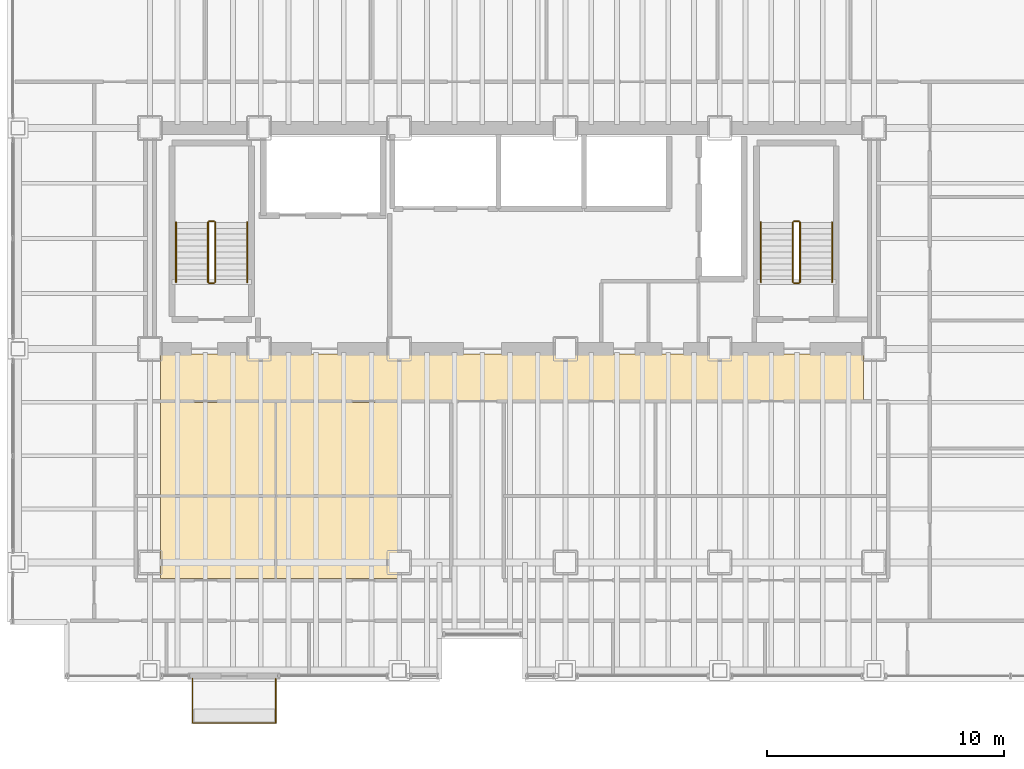
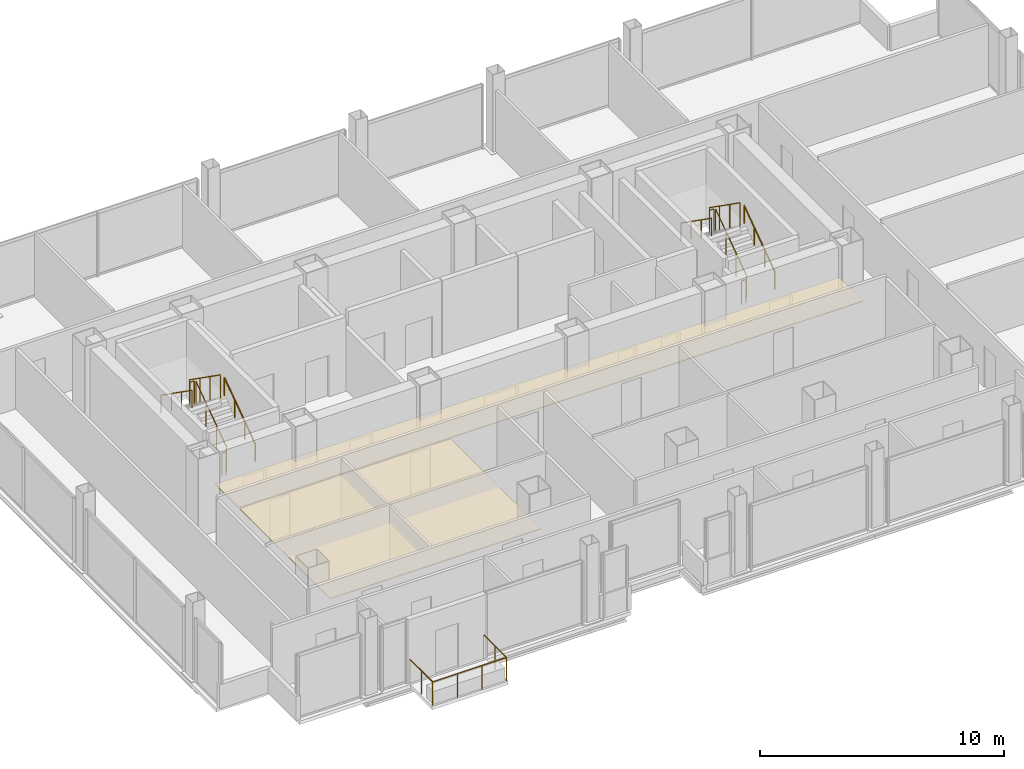
# One storey, part 20 of 20: 13 railings, 2 coverings.
"""IFC4 building model written with IfcOpenShell, lengths in metres."""

from ifc_helpers import new_model, si_unit, direction, frame, origin, origin_2d, place, context, subcontext, project, spatial, polyline, circle, outline, extrude, material, layer, layer_set, type_object, element, save


model = new_model("IFC4")

# Units and contexts
model_context = context("Model", 3, precision=1e-05, world=origin(), true_north=direction((0.0, 1.0)))
body_context = subcontext(model_context, "Body", "Model", "MODEL_VIEW")
ifc_project = project(units=[si_unit("LENGTHUNIT", "METRE"), si_unit("AREAUNIT", "SQUARE_METRE"), si_unit("VOLUMEUNIT", "CUBIC_METRE"), si_unit("PLANEANGLEUNIT", "RADIAN"), si_unit("MASSUNIT", "GRAM", prefix="KILO")], contexts=[model_context])

# Site, building, storey
site_placement = place(None, origin())
site = spatial("IfcSite", under=ifc_project, at=site_placement, CompositionType="ELEMENT")
building_placement = place(site_placement, origin())
building = spatial("IfcBuilding", under=site, at=building_placement, Name="Noeulbin Bourse Tower", CompositionType="ELEMENT")
storey_placement = place(building_placement, frame((0.0, 0.0, 65.5)))
storey = spatial("IfcBuildingStorey", under=building, at=storey_placement, Name="L16", CompositionType="ELEMENT", Elevation=65.5)

# Coverings
ifc_material_1 = material(Name="Perforated Mineral-Fibre Acoustic Tile")
ifc_layer_1 = layer(ifc_material_1, 0.0400390625)
ifc_layer_set_1 = layer_set([ifc_layer_1], Name="Perforated Mineral-Fibre Acoustic Tile")
covering_type = type_object("IfcCoveringType", Name="COV-CEIL-ACT", PredefinedType="CEILING", material=ifc_layer_set_1)
covering_1_placement = place(storey_placement, frame((0.0, 0.0, 2.110107421875)))
element("IfcCovering", 1, at=covering_1_placement, inside=storey, type_object=covering_type, Name="Corridor Suspended Ceiling L16", PredefinedType="CEILING", context=body_context, shape_type="SweptSolid", body=[
    extrude(outline(polyline([(13.949951171875, 26.820068359375), (43.550048828125, 26.820068359375), (43.550048828125, 28.780029296875), (13.949951171875, 28.780029296875), (13.949951171875, 26.820068359375)])), origin(), (0.0, 0.0, 1.0), 0.039794921875),
])
covering_2_placement = place(storey_placement, frame((0.0, 0.0, 2.110107421875)))
element("IfcCovering", 2, at=covering_2_placement, inside=storey, type_object=covering_type, Name="Trading Suite Acoustic Ceiling L16", PredefinedType="CEILING", context=body_context, shape_type="SweptSolid", body=[
    extrude(outline(polyline([(13.949951171875, 19.320068359375), (23.949951171875, 19.320068359375), (23.949951171875, 26.75), (13.949951171875, 26.75), (13.949951171875, 19.320068359375)])), origin(), (0.0, 0.0, 1.0), 0.039794921875),
])

# Railings
ifc_material_2 = material(Name="Laminated SentryGlas and Stainless Steel 316", Category="steel")
ifc_layer_2 = layer(ifc_material_2, 0.06005859375)
ifc_layer_set_2 = layer_set([ifc_layer_2], Name="Laminated SentryGlas and Stainless Steel 316")
railing_type_1 = type_object("IfcRailingType", Name="RLG-BAL-1200", PredefinedType="BALUSTRADE", material=ifc_layer_set_2)
railing_1_placement = place(storey_placement, frame((15.300048828125, 15.1201171875, 0.0)))
element("IfcRailing", 3, at=railing_1_placement, inside=storey, type_object=railing_type_1, Name="Tree-Balcony Glazed Balustrade L16", PredefinedType="BALUSTRADE", context=body_context, shape_type="SweptSolid", body=[
    extrude(circle(Radius=0.02392578125, at=origin_2d()), frame((0.0, 0.0, 1.17578125), z_axis=(0.0, -1.0, 0.0), x_axis=(1.0, 0.0, 0.0)), (0.0, 0.0, 1.0), 1.8701171875),
    extrude(circle(Radius=0.02392578125, at=origin_2d()), frame((0.0, -1.8701171875, 1.17578125), z_axis=(1.0, 0.0, 0.0), x_axis=(0.0, 1.0, 0.0)), (0.0, 0.0, 1.0), 3.5),
    extrude(circle(Radius=0.02392578125, at=origin_2d()), frame((3.5, -1.8701171875, 1.17578125), z_axis=(0.0, 1.0, 0.0), x_axis=(-1.0, 0.0, 0.0)), (0.0, 0.0, 1.0), 1.8701171875),
    extrude(circle(Radius=0.02099609375, at=origin_2d()), origin(), (0.0, 0.0, 1.0), 1.15185546875),
    extrude(circle(Radius=0.02099609375, at=origin_2d()), frame((0.0, -0.93505859375, 0.0)), (0.0, 0.0, 1.0), 1.15185546875),
    extrude(circle(Radius=0.02099609375, at=origin_2d()), frame((0.0, -1.8701171875, 0.0)), (0.0, 0.0, 1.0), 1.15185546875),
    extrude(circle(Radius=0.02099609375, at=origin_2d()), frame((1.166748046875, -1.8701171875, 0.0)), (0.0, 0.0, 1.0), 1.15185546875),
    extrude(circle(Radius=0.02099609375, at=origin_2d()), frame((2.333251953125, -1.8701171875, 0.0)), (0.0, 0.0, 1.0), 1.15185546875),
    extrude(circle(Radius=0.02099609375, at=origin_2d()), frame((3.5, -1.8701171875, 0.0)), (0.0, 0.0, 1.0), 1.15185546875),
    extrude(circle(Radius=0.02099609375, at=origin_2d()), frame((3.5, -0.93505859375, 0.0)), (0.0, 0.0, 1.0), 1.15185546875),
    extrude(circle(Radius=0.02099609375, at=origin_2d()), frame((3.5, 0.0, 0.0)), (0.0, 0.0, 1.0), 1.15185546875),
])
ifc_material_3 = material(Name="Painted Tubular Steel S355", Category="steel")
ifc_layer_3 = layer(ifc_material_3, 0.048095703125)
ifc_layer_set_3 = layer_set([ifc_layer_3], Name="Painted Tubular Steel S355")
railing_type_2 = type_object("IfcRailingType", Name="RLG-STR-GRD", PredefinedType="GUARDRAIL", material=ifc_layer_set_3)
railing_2_placement = place(storey_placement, frame((16.25, 31.81005859375, 0.17724609375)))
element("IfcRailing", 4, at=railing_2_placement, inside=storey, type_object=railing_type_2, Name="L16 ST-1 stair guard 1", PredefinedType="GUARDRAIL", context=body_context, shape_type="SweptSolid", body=[
    extrude(circle(Radius=0.02392578125, at=origin_2d()), frame((0.0, 0.0, 1.17578125), z_axis=(0.0, 0.817904474719, 0.575354039036), x_axis=(-1.0, 0.0, 0.0)), (0.0, 0.0, 1.0), 3.0810546875),
    extrude(circle(Radius=0.02099609375, at=origin_2d()), origin(), (0.0, 0.0, 1.0), 1.15185546875),
    extrude(circle(Radius=0.02099609375, at=origin_2d()), frame((0.0, 0.840087890625, 0.5908203125)), (0.0, 0.0, 1.0), 1.15185546875),
    extrude(circle(Radius=0.02099609375, at=origin_2d()), frame((0.0, 1.679931640625, 1.181884765625)), (0.0, 0.0, 1.0), 1.15185546875),
    extrude(circle(Radius=0.02099609375, at=origin_2d()), frame((0.0, 2.52001953125, 1.772705078125)), (0.0, 0.0, 1.0), 1.15185546875),
])
railing_3_placement = place(storey_placement, frame((16.199951171875, 34.3798828125, 1.949951171875)))
element("IfcRailing", 5, at=railing_3_placement, inside=storey, type_object=railing_type_2, Name="L16 ST-1 stair guard 2", PredefinedType="GUARDRAIL", context=body_context, shape_type="SweptSolid", body=[
    extrude(circle(Radius=0.02392578125, at=origin_2d()), frame((0.0, 0.0, 1.17578125), z_axis=(-1.0, 0.0, 0.0), x_axis=(0.0, -1.0, 0.0)), (0.0, 0.0, 1.0), 0.199951171875),
    extrude(circle(Radius=0.02099609375, at=origin_2d()), origin(), (0.0, 0.0, 1.0), 1.15185546875),
    extrude(circle(Radius=0.02099609375, at=origin_2d()), frame((-0.199951171875, 0.0, 0.0)), (0.0, 0.0, 1.0), 1.15185546875),
])
railing_4_placement = place(storey_placement, frame((15.949951171875, 34.330078125, 2.127197265625)))
element("IfcRailing", 6, at=railing_4_placement, inside=storey, type_object=railing_type_2, Name="L16 ST-1 stair guard 3", PredefinedType="GUARDRAIL", context=body_context, shape_type="SweptSolid", body=[
    extrude(circle(Radius=0.02392578125, at=origin_2d()), frame((0.0, 0.0, 1.17578125), z_axis=(0.0, -0.817904474719, 0.575354039036), x_axis=(1.0, 0.0, 0.0)), (0.0, 0.0, 1.0), 3.0810546875),
    extrude(circle(Radius=0.02099609375, at=origin_2d()), origin(), (0.0, 0.0, 1.0), 1.15185546875),
    extrude(circle(Radius=0.02099609375, at=origin_2d()), frame((0.0, -0.840087890625, 0.5908203125)), (0.0, 0.0, 1.0), 1.15185546875),
    extrude(circle(Radius=0.02099609375, at=origin_2d()), frame((0.0, -1.679931640625, 1.181884765625)), (0.0, 0.0, 1.0), 1.15185546875),
    extrude(circle(Radius=0.02099609375, at=origin_2d()), frame((0.0, -2.52001953125, 1.772705078125)), (0.0, 0.0, 1.0), 1.15185546875),
])
railing_5_placement = place(storey_placement, frame((16.199951171875, 31.760009765625, 0.0)))
element("IfcRailing", 7, at=railing_5_placement, inside=storey, type_object=railing_type_2, Name="L16 ST-1 stair guard 4", PredefinedType="GUARDRAIL", context=body_context, shape_type="SweptSolid", body=[
    extrude(circle(Radius=0.02392578125, at=origin_2d()), frame((0.0, 0.0, 1.17578125), z_axis=(-1.0, 0.0, 0.0), x_axis=(0.0, -1.0, 0.0)), (0.0, 0.0, 1.0), 0.199951171875),
    extrude(circle(Radius=0.02099609375, at=origin_2d()), origin(), (0.0, 0.0, 1.0), 1.15185546875),
    extrude(circle(Radius=0.02099609375, at=origin_2d()), frame((-0.199951171875, 0.0, 0.0)), (0.0, 0.0, 1.0), 1.15185546875),
])
railing_6_placement = place(storey_placement, frame((40.8798828125, 31.81005859375, 0.17724609375)))
element("IfcRailing", 8, at=railing_6_placement, inside=storey, type_object=railing_type_2, Name="L16 ST-2 stair guard 1", PredefinedType="GUARDRAIL", context=body_context, shape_type="SweptSolid", body=[
    extrude(circle(Radius=0.02392578125, at=origin_2d()), frame((0.0, 0.0, 1.17578125), z_axis=(0.0, 0.817904474719, 0.575354039036), x_axis=(-1.0, 0.0, 0.0)), (0.0, 0.0, 1.0), 3.0810546875),
    extrude(circle(Radius=0.02099609375, at=origin_2d()), origin(), (0.0, 0.0, 1.0), 1.15185546875),
    extrude(circle(Radius=0.02099609375, at=origin_2d()), frame((0.0, 0.840087890625, 0.5908203125)), (0.0, 0.0, 1.0), 1.15185546875),
    extrude(circle(Radius=0.02099609375, at=origin_2d()), frame((0.0, 1.679931640625, 1.181884765625)), (0.0, 0.0, 1.0), 1.15185546875),
    extrude(circle(Radius=0.02099609375, at=origin_2d()), frame((0.0, 2.52001953125, 1.772705078125)), (0.0, 0.0, 1.0), 1.15185546875),
])
railing_7_placement = place(storey_placement, frame((40.830078125, 34.3798828125, 1.949951171875)))
element("IfcRailing", 9, at=railing_7_placement, inside=storey, type_object=railing_type_2, Name="L16 ST-2 stair guard 2", PredefinedType="GUARDRAIL", context=body_context, shape_type="SweptSolid", body=[
    extrude(circle(Radius=0.02392578125, at=origin_2d()), frame((0.0, 0.0, 1.17578125), z_axis=(-1.0, 0.0, 0.0), x_axis=(0.0, -1.0, 0.0)), (0.0, 0.0, 1.0), 0.2001953125),
    extrude(circle(Radius=0.02099609375, at=origin_2d()), origin(), (0.0, 0.0, 1.0), 1.15185546875),
    extrude(circle(Radius=0.02099609375, at=origin_2d()), frame((-0.2001953125, 0.0, 0.0)), (0.0, 0.0, 1.0), 1.15185546875),
])
railing_8_placement = place(storey_placement, frame((40.580078125, 34.330078125, 2.127197265625)))
element("IfcRailing", 10, at=railing_8_placement, inside=storey, type_object=railing_type_2, Name="L16 ST-2 stair guard 3", PredefinedType="GUARDRAIL", context=body_context, shape_type="SweptSolid", body=[
    extrude(circle(Radius=0.02392578125, at=origin_2d()), frame((0.0, 0.0, 1.17578125), z_axis=(0.0, -0.817904474719, 0.575354039036), x_axis=(1.0, 0.0, 0.0)), (0.0, 0.0, 1.0), 3.0810546875),
    extrude(circle(Radius=0.02099609375, at=origin_2d()), origin(), (0.0, 0.0, 1.0), 1.15185546875),
    extrude(circle(Radius=0.02099609375, at=origin_2d()), frame((0.0, -0.840087890625, 0.5908203125)), (0.0, 0.0, 1.0), 1.15185546875),
    extrude(circle(Radius=0.02099609375, at=origin_2d()), frame((0.0, -1.679931640625, 1.181884765625)), (0.0, 0.0, 1.0), 1.15185546875),
    extrude(circle(Radius=0.02099609375, at=origin_2d()), frame((0.0, -2.52001953125, 1.772705078125)), (0.0, 0.0, 1.0), 1.15185546875),
])
railing_9_placement = place(storey_placement, frame((40.830078125, 31.760009765625, 0.0)))
element("IfcRailing", 11, at=railing_9_placement, inside=storey, type_object=railing_type_2, Name="L16 ST-2 stair guard 4", PredefinedType="GUARDRAIL", context=body_context, shape_type="SweptSolid", body=[
    extrude(circle(Radius=0.02392578125, at=origin_2d()), frame((0.0, 0.0, 1.17578125), z_axis=(-1.0, 0.0, 0.0), x_axis=(0.0, -1.0, 0.0)), (0.0, 0.0, 1.0), 0.2001953125),
    extrude(circle(Radius=0.02099609375, at=origin_2d()), origin(), (0.0, 0.0, 1.0), 1.15185546875),
    extrude(circle(Radius=0.02099609375, at=origin_2d()), frame((-0.2001953125, 0.0, 0.0)), (0.0, 0.0, 1.0), 1.15185546875),
])
ifc_material_4 = material(Name="Brushed Stainless Steel 316", Category="steel")
ifc_layer_4 = layer(ifc_material_4, 0.048095703125)
ifc_layer_set_4 = layer_set([ifc_layer_4], Name="Brushed Stainless Steel 316")
railing_type_3 = type_object("IfcRailingType", Name="RLG-STR-HND", PredefinedType="HANDRAIL", material=ifc_layer_set_4)
railing_10_placement = place(storey_placement, frame((17.60009765625, 31.81005859375, 0.17724609375)))
element("IfcRailing", 12, at=railing_10_placement, inside=storey, type_object=railing_type_3, Name="L16 ST-1 stair handrail 1", PredefinedType="HANDRAIL", context=body_context, shape_type="SweptSolid", body=[
    extrude(circle(Radius=0.02392578125, at=origin_2d()), frame((0.0, 0.0, 0.8759765625), z_axis=(0.0, 0.817904474719, 0.575354039036), x_axis=(-1.0, 0.0, 0.0)), (0.0, 0.0, 1.0), 3.0810546875),
    extrude(circle(Radius=0.02099609375, at=origin_2d()), origin(), (0.0, 0.0, 1.0), 0.851806640625),
    extrude(circle(Radius=0.02099609375, at=origin_2d()), frame((0.0, 0.840087890625, 0.5908203125)), (0.0, 0.0, 1.0), 0.851806640625),
    extrude(circle(Radius=0.02099609375, at=origin_2d()), frame((0.0, 1.679931640625, 1.181884765625)), (0.0, 0.0, 1.0), 0.851806640625),
    extrude(circle(Radius=0.02099609375, at=origin_2d()), frame((0.0, 2.52001953125, 1.772705078125)), (0.0, 0.0, 1.0), 0.851806640625),
])
railing_11_placement = place(storey_placement, frame((14.60009765625, 34.330078125, 2.127197265625)))
element("IfcRailing", 13, at=railing_11_placement, inside=storey, type_object=railing_type_3, Name="L16 ST-1 stair handrail 2", PredefinedType="HANDRAIL", context=body_context, shape_type="SweptSolid", body=[
    extrude(circle(Radius=0.02392578125, at=origin_2d()), frame((0.0, 0.0, 0.8759765625), z_axis=(0.0, -0.817904474719, 0.575354039036), x_axis=(1.0, 0.0, 0.0)), (0.0, 0.0, 1.0), 3.0810546875),
    extrude(circle(Radius=0.02099609375, at=origin_2d()), origin(), (0.0, 0.0, 1.0), 0.851806640625),
    extrude(circle(Radius=0.02099609375, at=origin_2d()), frame((0.0, -0.840087890625, 0.5908203125)), (0.0, 0.0, 1.0), 0.851806640625),
    extrude(circle(Radius=0.02099609375, at=origin_2d()), frame((0.0, -1.679931640625, 1.181884765625)), (0.0, 0.0, 1.0), 0.851806640625),
    extrude(circle(Radius=0.02099609375, at=origin_2d()), frame((0.0, -2.52001953125, 1.772705078125)), (0.0, 0.0, 1.0), 0.851806640625),
])
railing_12_placement = place(storey_placement, frame((42.22998046875, 31.81005859375, 0.17724609375)))
element("IfcRailing", 14, at=railing_12_placement, inside=storey, type_object=railing_type_3, Name="L16 ST-2 stair handrail 1", PredefinedType="HANDRAIL", context=body_context, shape_type="SweptSolid", body=[
    extrude(circle(Radius=0.02392578125, at=origin_2d()), frame((0.0, 0.0, 0.8759765625), z_axis=(0.0, 0.817904474719, 0.575354039036), x_axis=(-1.0, 0.0, 0.0)), (0.0, 0.0, 1.0), 3.0810546875),
    extrude(circle(Radius=0.02099609375, at=origin_2d()), origin(), (0.0, 0.0, 1.0), 0.851806640625),
    extrude(circle(Radius=0.02099609375, at=origin_2d()), frame((0.0, 0.840087890625, 0.5908203125)), (0.0, 0.0, 1.0), 0.851806640625),
    extrude(circle(Radius=0.02099609375, at=origin_2d()), frame((0.0, 1.679931640625, 1.181884765625)), (0.0, 0.0, 1.0), 0.851806640625),
    extrude(circle(Radius=0.02099609375, at=origin_2d()), frame((0.0, 2.52001953125, 1.772705078125)), (0.0, 0.0, 1.0), 0.851806640625),
])
railing_13_placement = place(storey_placement, frame((39.22998046875, 34.330078125, 2.127197265625)))
element("IfcRailing", 15, at=railing_13_placement, inside=storey, type_object=railing_type_3, Name="L16 ST-2 stair handrail 2", PredefinedType="HANDRAIL", context=body_context, shape_type="SweptSolid", body=[
    extrude(circle(Radius=0.02392578125, at=origin_2d()), frame((0.0, 0.0, 0.8759765625), z_axis=(0.0, -0.817904474719, 0.575354039036), x_axis=(1.0, 0.0, 0.0)), (0.0, 0.0, 1.0), 3.0810546875),
    extrude(circle(Radius=0.02099609375, at=origin_2d()), origin(), (0.0, 0.0, 1.0), 0.851806640625),
    extrude(circle(Radius=0.02099609375, at=origin_2d()), frame((0.0, -0.840087890625, 0.5908203125)), (0.0, 0.0, 1.0), 0.851806640625),
    extrude(circle(Radius=0.02099609375, at=origin_2d()), frame((0.0, -1.679931640625, 1.181884765625)), (0.0, 0.0, 1.0), 0.851806640625),
    extrude(circle(Radius=0.02099609375, at=origin_2d()), frame((0.0, -2.52001953125, 1.772705078125)), (0.0, 0.0, 1.0), 0.851806640625),
])

save(model, "model.ifc")
